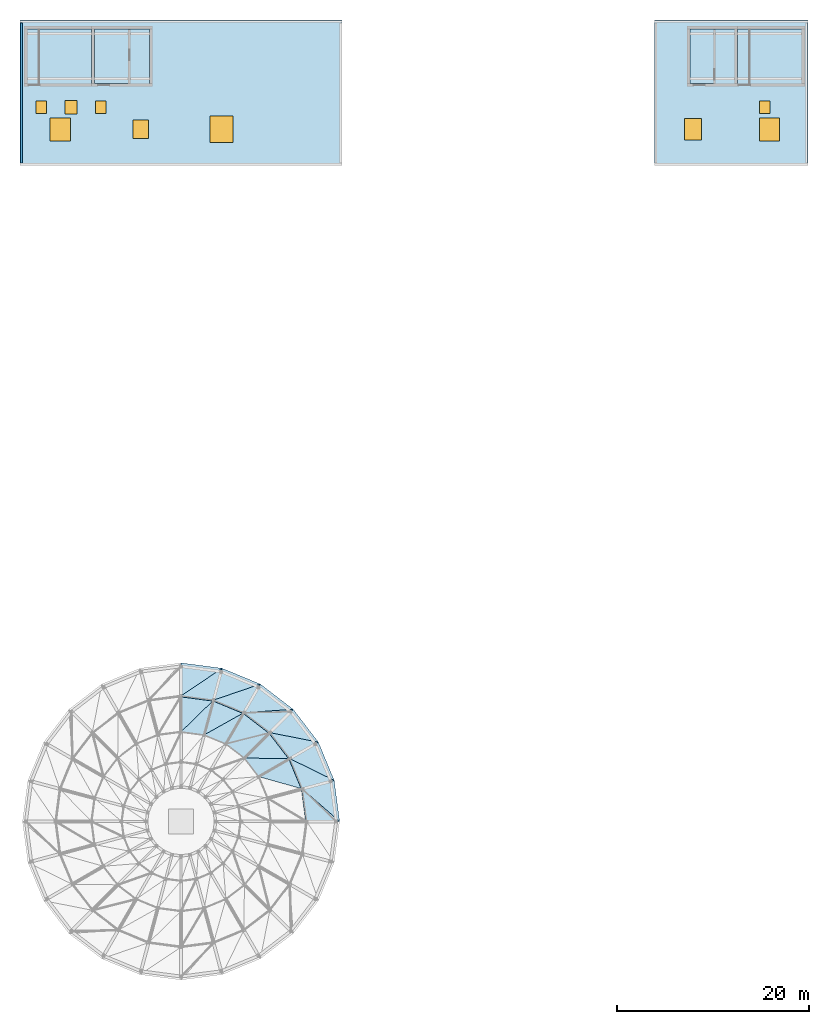
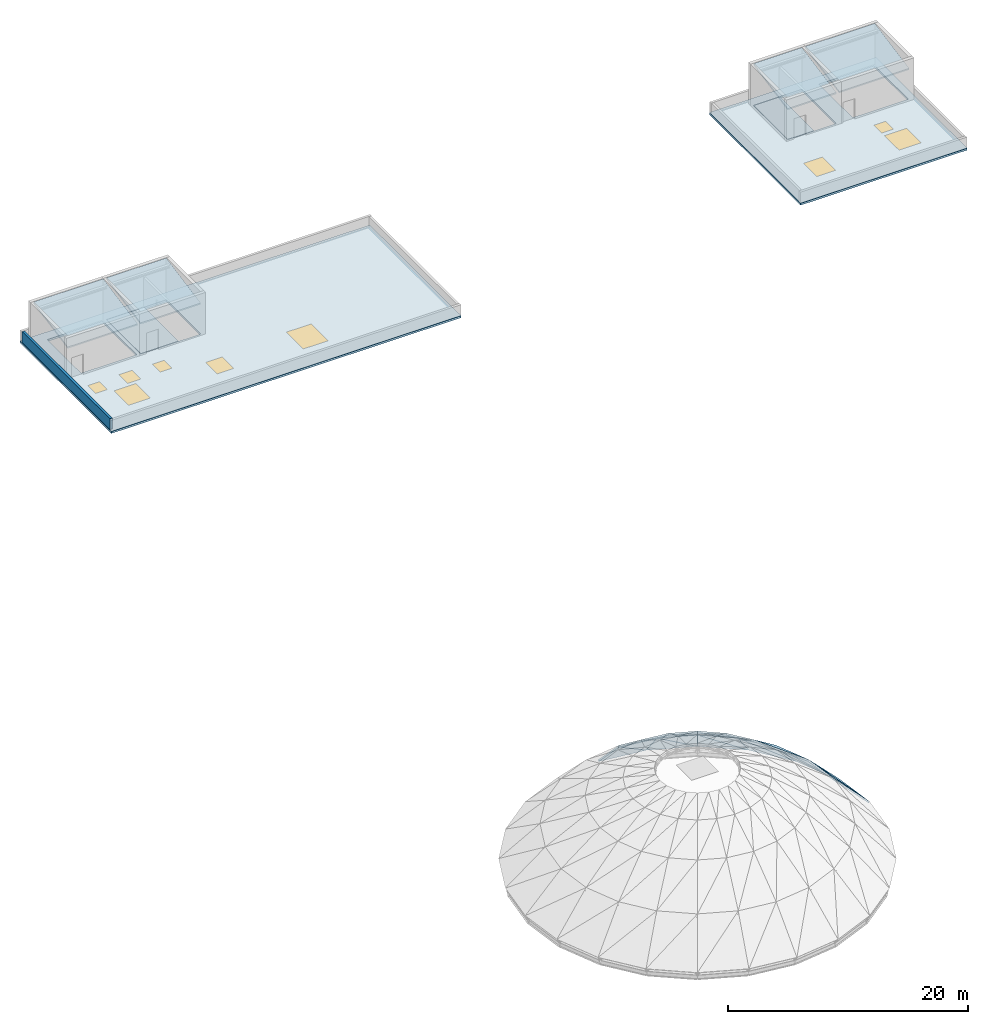
# One storey, part 13 of 19: 29 slabs, 5 windows, 4 doors, 1 wall, 9 openings.
"""IFC4 building model written with IfcOpenShell, lengths in metres."""

from ifc_helpers import new_model, si_unit, direction, frame, frame_2d, origin, origin_2d, place, context, subcontext, project, spatial, polyline, rectangle, outline, extrude, material, layer, layer_set, type_object, element, fill, save


model = new_model("IFC4")

# Units and contexts
model_context = context("Model", 3, precision=1e-05, world=origin(), true_north=direction((0.0, 1.0)))
body_context = subcontext(model_context, "Body", "Model", "MODEL_VIEW")
ifc_project = project(units=[si_unit("LENGTHUNIT", "METRE"), si_unit("AREAUNIT", "SQUARE_METRE"), si_unit("VOLUMEUNIT", "CUBIC_METRE"), si_unit("PLANEANGLEUNIT", "RADIAN"), si_unit("MASSUNIT", "GRAM", prefix="KILO")], contexts=[model_context])

# Site, building, storey
site_placement = place(None, origin())
site = spatial("IfcSite", under=ifc_project, at=site_placement, CompositionType="ELEMENT")
building_placement = place(site_placement, origin())
building = spatial("IfcBuilding", under=site, at=building_placement, Name="Montecoro Central Library", CompositionType="ELEMENT")
storey_placement = place(building_placement, frame((0.0, 0.0, 25.5)))
storey = spatial("IfcBuildingStorey", under=building, at=storey_placement, Name="ROOF", CompositionType="ELEMENT", Elevation=25.5)

# Slabs
ifc_material_1 = material(Name="Concrete C32/40", Category="concrete")
ifc_layer_1 = layer(ifc_material_1, 0.14990234375)
ifc_layer_set_1 = layer_set([ifc_layer_1], Name="Concrete C32/40")
slab_type_1 = type_object("IfcSlabType", Name="SL-DOME-150", PredefinedType="ROOF", material=ifc_layer_set_1)
slab_1_placement = place(storey_placement, frame((108.139892578125, 35.39990234375, -7.77001953125), z_axis=(0.715997621277, 0.094323039929, 0.691701214734), x_axis=(-0.130608081992, 0.99143407694, 0.0)))
element("IfcSlab", 1, at=slab_1_placement, inside=storey, type_object=slab_type_1, Name="V1-DOME-GORE-S1-01A", PredefinedType="ROOF", context=body_context, shape_type="SweptSolid", body=[
    extrude(outline(polyline([(0.0, 0.0), (4.317993459118372, -5.551115123125783e-17), (3.8696064867599036, 4.929574206481071), (0.0, 0.0)])), origin(), (0.0, 0.0, -1.0), 0.14990234375),
])
slab_2_placement = place(storey_placement, frame((108.139892578125, 35.39990234375, -7.77001953125), z_axis=(0.715938847553, 0.094169926168, 0.691782907833), x_axis=(-0.620077003369, 0.541111363749, 0.568069539682)))
element("IfcSlab", 2, at=slab_2_placement, inside=storey, type_object=slab_type_1, Name="V1-DOME-GORE-S1-01B", PredefinedType="ROOF", context=body_context, shape_type="SweptSolid", body=[
    extrude(outline(polyline([(0.0, 0.0), (6.266941536314009, 6.661338147750939e-16), (4.155389405545427, 2.6907160678241917), (0.0, 0.0)])), origin(), (0.0, 0.0, -1.0), 0.14990234375),
])
slab_3_placement = place(storey_placement, frame((107.575927734375, 39.680908203125, -7.77001953125), z_axis=(0.667180259726, 0.276280166308, 0.691765690633), x_axis=(-0.382594844115, 0.92391622199, 0.0)))
element("IfcSlab", 3, at=slab_3_placement, inside=storey, type_object=slab_type_1, Name="V1-DOME-GORE-S1-02A", PredefinedType="ROOF", context=body_context, shape_type="SweptSolid", body=[
    extrude(outline(polyline([(0.0, 0.0), (4.317505826752867, 0.0), (3.8681485279156975, 4.929995811557658), (0.0, 0.0)])), origin(), (0.0, 0.0, -1.0), 0.14990234375),
])
slab_4_placement = place(storey_placement, frame((107.575927734375, 39.680908203125, -7.77001953125), z_axis=(0.667196923723, 0.276438883073, 0.691686206961), x_axis=(-0.73900154149, 0.362098287991, 0.568121071173)))
element("IfcSlab", 4, at=slab_4_placement, inside=storey, type_object=slab_type_1, Name="V1-DOME-GORE-S1-02B", PredefinedType="ROOF", context=body_context, shape_type="SweptSolid", body=[
    extrude(outline(polyline([(0.0, 0.0), (6.266373092626422, 4.440892098500626e-16), (4.155294720498635, 2.689847304212721), (0.0, 0.0)])), origin(), (0.0, 0.0, -1.0), 0.14990234375),
])
slab_5_placement = place(storey_placement, frame((105.924072265625, 43.669921875, -7.77001953125), z_axis=(0.572899595995, 0.439482943839, 0.691838705901), x_axis=(-0.608658234668, 0.793432513432, 0.0)))
element("IfcSlab", 5, at=slab_5_placement, inside=storey, type_object=slab_type_1, Name="V1-DOME-GORE-S1-03A", PredefinedType="ROOF", context=body_context, shape_type="SweptSolid", body=[
    extrude(outline(polyline([(0.0, 0.0), (4.317979579392242, -2.220446049250313e-16), (3.868449382155051, 4.9304734333000315), (0.0, 0.0)])), origin(), (0.0, 0.0, -1.0), 0.14990234375),
])
slab_6_placement = place(storey_placement, frame((105.924072265625, 43.669921875, -7.77001953125), z_axis=(0.572877813538, 0.439620443971, 0.691769380645), x_axis=(-0.807577468713, 0.158476852037, 0.56807017119)))
element("IfcSlab", 6, at=slab_6_placement, inside=storey, type_object=slab_type_1, Name="V1-DOME-GORE-S1-03B", PredefinedType="ROOF", context=body_context, shape_type="SweptSolid", body=[
    extrude(outline(polyline([(0.0, 0.0), (6.266934569530241, 0.0), (4.155563986066326, 2.690365893647709), (0.0, 0.0)])), origin(), (0.0, 0.0, -1.0), 0.14990234375),
])
slab_7_placement = place(storey_placement, frame((103.2958984375, 47.095947265625, -7.77001953125), z_axis=(0.439530184712, 0.572920348526, 0.691791508311), x_axis=(-0.793411565763, 0.608685540582, 0.0)))
element("IfcSlab", 7, at=slab_7_placement, inside=storey, type_object=slab_type_1, Name="V1-DOME-GORE-S1-04A", PredefinedType="ROOF", context=body_context, shape_type="SweptSolid", body=[
    extrude(outline(polyline([(0.0, 0.0), (4.317785872839549, 0.0), (3.869347622397871, 4.930164673576801), (0.0, 0.0)])), origin(), (0.0, 0.0, -1.0), 0.14990234375),
])
slab_8_placement = place(storey_placement, frame((103.2958984375, 47.095947265625, -7.77001953125), z_axis=(0.439575314047, 0.57281900387, 0.69184675477), x_axis=(-0.821093657824, -0.055978346441, 0.568041926103)))
element("IfcSlab", 8, at=slab_8_placement, inside=storey, type_object=slab_type_1, Name="V1-DOME-GORE-S1-04B", PredefinedType="ROOF", context=body_context, shape_type="SweptSolid", body=[
    extrude(outline(polyline([(0.0, 0.0), (6.2672461840541, -4.440892098500626e-16), (4.156057101791433, 2.690508323970491), (0.0, 0.0)])), origin(), (0.0, 0.0, -1.0), 0.14990234375),
])
slab_9_placement = place(storey_placement, frame((99.8701171875, 49.72412109375, -7.77001953125), z_axis=(0.276302291403, 0.66723368892, 0.691705318858), x_axis=(-0.92391622199, 0.382594844115, 0.0)))
element("IfcSlab", 9, at=slab_9_placement, inside=storey, type_object=slab_type_1, Name="V1-DOME-GORE-S1-05A", PredefinedType="ROOF", context=body_context, shape_type="SweptSolid", body=[
    extrude(outline(polyline([(0.0, 0.0), (4.317505826752867, 2.220446049250313e-16), (3.868929289035783, 4.929601038771706), (0.0, 0.0)])), origin(), (0.0, 0.0, -1.0), 0.14990234375),
])
slab_10_placement = place(storey_placement, frame((99.8701171875, 49.72412109375, -7.77001953125), z_axis=(0.27640273407, 0.667109676577, 0.69178479892), x_axis=(-0.778603004187, -0.266521048368, 0.5681055295)))
element("IfcSlab", 10, at=slab_10_placement, inside=storey, type_object=slab_type_1, Name="V1-DOME-GORE-S1-05B", PredefinedType="ROOF", context=body_context, shape_type="SweptSolid", body=[
    extrude(outline(polyline([(0.0, 0.0), (6.266544521905036, -2.220446049250313e-16), (4.155820661829568, 2.6901254988855587), (0.0, 0.0)])), origin(), (0.0, 0.0, -1.0), 0.14990234375),
])
slab_11_placement = place(storey_placement, frame((95.881103515625, 51.3759765625, -7.77001953125), z_axis=(0.094314005175, 0.715929039282, 0.691773430496), x_axis=(-0.99143407694, 0.130608081992, 0.0)))
element("IfcSlab", 11, at=slab_11_placement, inside=storey, type_object=slab_type_1, Name="V1-DOME-GORE-S1-06A", PredefinedType="ROOF", context=body_context, shape_type="SweptSolid", body=[
    extrude(outline(polyline([(0.0, 0.0), (4.317993459118372, 5.551115123125783e-17), (3.86870930988276, 4.930046432094945), (0.0, 0.0)])), origin(), (0.0, 0.0, -1.0), 0.14990234375),
])
slab_12_placement = place(storey_placement, frame((95.881103515625, 51.3759765625, -7.77001953125), z_axis=(0.094187504439, 0.716020935501, 0.691695550031), x_axis=(-0.683129157337, -0.458925661444, 0.568086077689)))
element("IfcSlab", 12, at=slab_12_placement, inside=storey, type_object=slab_type_1, Name="V1-DOME-GORE-S1-06B", PredefinedType="ROOF", context=body_context, shape_type="SweptSolid", body=[
    extrude(outline(polyline([(0.0, 0.0), (6.266759094379297, -4.440892098500626e-16), (4.155058976510702, 2.6902922170959727), (0.0, 0.0)])), origin(), (0.0, 0.0, -1.0), 0.14990234375),
])
slab_13_placement = place(storey_placement, frame((104.25390625, 38.791015625, -4.2099609375), z_axis=(0.561981871729, 0.232845259629, 0.793699855686), x_axis=(-0.382774280043, 0.923841896938, 0.0)))
element("IfcSlab", 13, at=slab_13_placement, inside=storey, type_object=slab_type_1, Name="V1-DOME-GORE-S2-02A", PredefinedType="ROOF", context=body_context, shape_type="SweptSolid", body=[
    extrude(outline(polyline([(0.0, 0.0), (3.4193464892061107, 1.1102230246251565e-16), (2.9304117365736966, 4.684873677100132), (0.0, 0.0)])), origin(), (0.0, 0.0, -1.0), 0.14990234375),
])
slab_14_placement = place(storey_placement, frame((102.945068359375, 41.949951171875, -4.2099609375), z_axis=(0.48257483054, 0.370322879047, 0.793714368135), x_axis=(-0.608792664465, 0.793329371506, 0.0)))
element("IfcSlab", 14, at=slab_14_placement, inside=storey, type_object=slab_type_1, Name="V1-DOME-GORE-S2-03A", PredefinedType="ROOF", context=body_context, shape_type="SweptSolid", body=[
    extrude(outline(polyline([(0.0, 0.0), (3.4199348506104013, 2.220446049250313e-16), (2.9305251219527, 4.685019514805613), (0.0, 0.0)])), origin(), (0.0, 0.0, -1.0), 0.14990234375),
])
slab_15_placement = place(storey_placement, frame((102.945068359375, 41.949951171875, -4.2099609375), z_axis=(0.482558218012, 0.370407550194, 0.793684958273), x_axis=(-0.856691255003, 0.011044959711, 0.515711258813)))
element("IfcSlab", 15, at=slab_15_placement, inside=storey, type_object=slab_type_1, Name="V1-DOME-GORE-S2-03B", PredefinedType="ROOF", context=body_context, shape_type="SweptSolid", body=[
    extrude(outline(polyline([(0.0, 0.0), (5.52606418208342, 1.1102230246251565e-16), (4.231565598170327, 2.0690459519060553), (0.0, 0.0)])), origin(), (0.0, 0.0, -1.0), 0.14990234375),
])
slab_16_placement = place(storey_placement, frame((100.863037109375, 44.6630859375, -4.2099609375), z_axis=(0.370342333191, 0.482600181607, 0.793689877067), x_axis=(-0.793329371506, 0.608792664465, 0.0)))
element("IfcSlab", 16, at=slab_16_placement, inside=storey, type_object=slab_type_1, Name="V1-DOME-GORE-S2-04A", PredefinedType="ROOF", context=body_context, shape_type="SweptSolid", body=[
    extrude(outline(polyline([(0.0, 0.0), (3.4199348506104013, 2.220446049250313e-16), (2.930040310844845, 4.684773409955421), (0.0, 0.0)])), origin(), (0.0, 0.0, -1.0), 0.14990234375),
])
slab_17_placement = place(storey_placement, frame((100.863037109375, 44.6630859375, -4.2099609375), z_axis=(0.370380285552, 0.482522698279, 0.793719276394), x_axis=(-0.830341693306, -0.211020695324, 0.515754727077)))
element("IfcSlab", 17, at=slab_17_placement, inside=storey, type_object=slab_type_1, Name="V1-DOME-GORE-S2-04B", PredefinedType="ROOF", context=body_context, shape_type="SweptSolid", body=[
    extrude(outline(polyline([(0.0, 0.0), (5.525598440513126, 1.1102230246251565e-16), (4.231622206265569, 2.06937266823894), (0.0, 0.0)])), origin(), (0.0, 0.0, -1.0), 0.14990234375),
])
slab_18_placement = place(storey_placement, frame((98.14990234375, 46.7451171875, -4.2099609375), z_axis=(0.232829773956, 0.561944496403, 0.793730860759), x_axis=(-0.923841896938, 0.382774280043, 0.0)))
element("IfcSlab", 18, at=slab_18_placement, inside=storey, type_object=slab_type_1, Name="V1-DOME-GORE-S2-05A", PredefinedType="ROOF", context=body_context, shape_type="SweptSolid", body=[
    extrude(outline(polyline([(0.0, 0.0), (3.4193464892061107, -1.1102230246251565e-16), (2.9295390937656283, 4.685185271359492), (0.0, 0.0)])), origin(), (0.0, 0.0, -1.0), 0.14990234375),
])
slab_19_placement = place(storey_placement, frame((98.14990234375, 46.7451171875, -4.2099609375), z_axis=(0.232757963705, 0.562026811185, 0.793693639789), x_axis=(-0.747397858962, -0.418809665707, 0.515746938264)))
element("IfcSlab", 19, at=slab_19_placement, inside=storey, type_object=slab_type_1, Name="V1-DOME-GORE-S2-05B", PredefinedType="ROOF", context=body_context, shape_type="SweptSolid", body=[
    extrude(outline(polyline([(0.0, 0.0), (5.52568188813517, -3.3306690738754696e-16), (4.231487636658871, 2.0692053893996514), (0.0, 0.0)])), origin(), (0.0, 0.0, -1.0), 0.14990234375),
])
slab_20_placement = place(storey_placement, frame((94.990966796875, 48.053955078125, -4.2099609375), z_axis=(0.079340933169, 0.603156114274, 0.793667259081), x_axis=(-0.991458911344, 0.130419427678, 0.0)))
element("IfcSlab", 20, at=slab_20_placement, inside=storey, type_object=slab_type_1, Name="V1-DOME-GORE-S2-06A", PredefinedType="ROOF", context=body_context, shape_type="SweptSolid", body=[
    extrude(outline(polyline([(0.0, 0.0), (3.420080350104863, 0.0), (2.9310074963106634, 4.684546168435292), (0.0, 0.0)])), origin(), (0.0, 0.0, -1.0), 0.14990234375),
])
slab_21_placement = place(storey_placement, frame((94.990966796875, 48.053955078125, -4.2099609375), z_axis=(0.079516802728, 0.60303791021, 0.793739476739), x_axis=(-0.613629933736, -0.597901497102, 0.515724833789)))
element("IfcSlab", 21, at=slab_21_placement, inside=storey, type_object=slab_type_1, Name="V1-DOME-GORE-S2-06B", PredefinedType="ROOF", context=body_context, shape_type="SweptSolid", body=[
    extrude(outline(polyline([(0.0, 0.0), (5.525918724305586, 3.3306690738754696e-16), (4.231767687568002, 2.069544527196134), (0.0, 0.0)])), origin(), (0.0, 0.0, -1.0), 0.14990234375),
])
ifc_layer_2 = layer(ifc_material_1, 0.179931640625)
ifc_layer_set_2 = layer_set([ifc_layer_2], Name="Concrete C32/40")
slab_type_2 = type_object("IfcSlabType", Name="SL-FLR-180", PredefinedType="FLOOR", material=ifc_layer_set_2)
slab_22_placement = place(storey_placement, frame((0.0, 0.0, -0.179931640625)))
element("IfcSlab", 22, at=slab_22_placement, inside=storey, type_object=slab_type_2, Name="C2 Roof Overrun Vestibule Floor Slab", PredefinedType="FLOOR", context=body_context, shape_type="SweptSolid", body=[
    extrude(outline(polyline([(82.56005859375, 112.360107421875), (86.18994140625, 112.360107421875), (86.18994140625, 118.0400390625), (82.56005859375, 118.0400390625), (82.56005859375, 112.360107421875)])), origin(), (0.0, 0.0, 1.0), 0.179931640625),
])
slab_23_placement = place(storey_placement, frame((0.0, 0.0, -0.179931640625)))
element("IfcSlab", 23, at=slab_23_placement, inside=storey, type_object=slab_type_2, Name="C6 Roof Overrun Vestibule Floor Slab", PredefinedType="FLOOR", context=body_context, shape_type="SweptSolid", body=[
    extrude(outline(polyline([(144.7099609375, 112.360107421875), (147.239990234375, 112.360107421875), (147.239990234375, 118.0400390625), (144.7099609375, 118.0400390625), (144.7099609375, 112.360107421875)])), origin(), (0.0, 0.0, 1.0), 0.179931640625),
])

# Slab, openings, doors, windows
ifc_layer_3 = layer(ifc_material_1, 0.199951171875)
ifc_layer_set_3 = layer_set([ifc_layer_3], Name="Concrete C32/40")
slab_type_3 = type_object("IfcSlabType", Name="SL-ROOF-200", PredefinedType="ROOF", material=ifc_layer_set_3)
slab_24_placement = place(storey_placement, frame((0.0, 0.0, -0.199951171875)))
slab_24 = element("IfcSlab", 24, at=slab_24_placement, inside=storey, type_object=slab_type_3, Name="V2-ROOF-SL1", PredefinedType="ROOF", context=body_context, shape_type="SweptSolid", body=[
    extrude(outline(polyline([(74.800048828125, 103.800048828125), (108.39990234375, 103.800048828125), (108.39990234375, 119.0), (74.800048828125, 119.0), (74.800048828125, 103.800048828125)]), holes=[polyline([(76.860107421875, 118.0), (82.199951171875, 118.0), (82.199951171875, 112.39990234375), (76.860107421875, 112.39990234375), (76.860107421875, 118.0)]), polyline([(82.5400390625, 118.06005859375), (88.31005859375, 118.06005859375), (88.31005859375, 112.340087890625), (82.5400390625, 112.340087890625), (82.5400390625, 118.06005859375)])]), origin(), (0.0, 0.0, 1.0), 0.199951171875),
])
opening_1_placement = place(slab_24_placement, frame((77.0, 109.89990234375, 0.0)))
opening_1 = element("IfcOpeningElement", 25, at=opening_1_placement, cuts=slab_24, Name="Opening EH-01", PredefinedType="OPENING", context=body_context, shape_type="SweptSolid", body=[
    extrude(rectangle(XDim=1.10009765625, YDim=1.300048828125, at=origin_2d()), frame((0.0, 0.0, -0.010009765625)), (0.0, 0.0, 1.0), 0.219970703125),
])
opening_2_placement = place(slab_24_placement, frame((80.10009765625, 109.89990234375, 0.0)))
opening_2 = element("IfcOpeningElement", 26, at=opening_2_placement, cuts=slab_24, Name="Opening EH-02", PredefinedType="OPENING", context=body_context, shape_type="SweptSolid", body=[
    extrude(rectangle(XDim=1.25, YDim=1.449951171875, at=origin_2d()), frame((0.0, 0.0, -0.010009765625)), (0.0, 0.0, 1.0), 0.219970703125),
])
opening_3_placement = place(slab_24_placement, frame((83.199951171875, 109.89990234375, 0.0)))
opening_3 = element("IfcOpeningElement", 27, at=opening_3_placement, cuts=slab_24, Name="Opening EH-01", PredefinedType="OPENING", context=body_context, shape_type="SweptSolid", body=[
    extrude(rectangle(XDim=1.10009765625, YDim=1.300048828125, at=origin_2d()), frame((0.0, 0.0, -0.010009765625)), (0.0, 0.0, 1.0), 0.219970703125),
])
opening_4_placement = place(slab_24_placement, frame((79.0, 107.60009765625, 0.0)))
opening_4 = element("IfcOpeningElement", 28, at=opening_4_placement, cuts=slab_24, Name="Opening SK-04", PredefinedType="OPENING", context=body_context, shape_type="SweptSolid", body=[
    extrude(rectangle(XDim=2.10009765625, YDim=2.39990234375, at=origin_2d()), frame((0.0, 0.0, -0.010009765625)), (0.0, 0.0, 1.0), 0.219970703125),
])
opening_5_placement = place(slab_24_placement, frame((87.39990234375, 107.60009765625, 0.0)))
opening_5 = element("IfcOpeningElement", 29, at=opening_5_placement, cuts=slab_24, Name="Opening SK-05", PredefinedType="OPENING", context=body_context, shape_type="SweptSolid", body=[
    extrude(rectangle(XDim=1.60009765625, YDim=1.89990234375, at=origin_2d()), frame((0.0, 0.0, -0.010009765625)), (0.0, 0.0, 1.0), 0.219970703125),
])
opening_6_placement = place(slab_24_placement, frame((95.800048828125, 107.60009765625, 0.0)))
opening_6 = element("IfcOpeningElement", 30, at=opening_6_placement, cuts=slab_24, Name="Opening SK-01", PredefinedType="OPENING", context=body_context, shape_type="SweptSolid", body=[
    extrude(rectangle(XDim=2.39990234375, YDim=2.800048828125, at=origin_2d()), frame((0.0, 0.0, -0.010009765625)), (0.0, 0.0, 1.0), 0.219970703125),
])
ifc_material_2 = material(Name="Thermally broken architectural bronze and safety glass", Category="glass")
door_type_1 = type_object("IfcDoorType", Name="ED-HATCH-110", OperationType="NOTDEFINED", PredefinedType="TRAPDOOR", material=ifc_material_2)
door_1_placement = place(opening_1_placement, frame((0.0, 0.0, 0.14990234375)))
door_1 = element("IfcDoor", 31, at=door_1_placement, inside=storey, type_object=door_type_1, Name="V2-ROOF-HT-1", OperationType="SINGLE_SWING_LEFT", OverallHeight=1.300048828125, OverallWidth=1.10009765625, PredefinedType="TRAPDOOR", context=body_context, shape_type="SweptSolid", body=[
    extrude(rectangle(XDim=1.10009765625, YDim=1.300048828125, at=origin_2d()), origin(), (0.0, 0.0, 1.0), 0.050048828125),
])
fill(opening_1, door_1)
door_2_placement = place(opening_3_placement, frame((0.0, 0.0, 0.14990234375)))
door_2 = element("IfcDoor", 32, at=door_2_placement, inside=storey, type_object=door_type_1, Name="V2-ROOF-HT-3", OperationType="SINGLE_SWING_LEFT", OverallHeight=1.300048828125, OverallWidth=1.10009765625, PredefinedType="TRAPDOOR", context=body_context, shape_type="SweptSolid", body=[
    extrude(rectangle(XDim=1.10009765625, YDim=1.300048828125, at=origin_2d()), origin(), (0.0, 0.0, 1.0), 0.050048828125),
])
fill(opening_3, door_2)
door_type_2 = type_object("IfcDoorType", Name="ED-HATCH-125", OperationType="NOTDEFINED", PredefinedType="TRAPDOOR", material=ifc_material_2)
door_3_placement = place(opening_2_placement, frame((0.0, 0.0, 0.14990234375)))
door_3 = element("IfcDoor", 33, at=door_3_placement, inside=storey, type_object=door_type_2, Name="V2-ROOF-HT-2", OperationType="SINGLE_SWING_LEFT", OverallHeight=1.449951171875, OverallWidth=1.25, PredefinedType="TRAPDOOR", context=body_context, shape_type="SweptSolid", body=[
    extrude(rectangle(XDim=1.25, YDim=1.449951171875, at=origin_2d()), origin(), (0.0, 0.0, 1.0), 0.050048828125),
])
fill(opening_2, door_3)
ifc_material_3 = material(Name="Solar-control laminated skylight glazing", Category="glass")
window_type_1 = type_object("IfcWindowType", Name="SK-ATR-240", PartitioningType="SINGLE_PANEL", PredefinedType="SKYLIGHT", material=ifc_material_3)
window_1_placement = place(opening_6_placement, frame((0.0, 0.0, 0.14990234375)))
window_1 = element("IfcWindow", 34, at=window_1_placement, inside=storey, type_object=window_type_1, Name="V2-ROOF-SK-3", OverallHeight=2.800048828125, OverallWidth=2.39990234375, PartitioningType="SINGLE_PANEL", PredefinedType="SKYLIGHT", context=body_context, shape_type="SweptSolid", body=[
    extrude(rectangle(XDim=2.39990234375, YDim=2.800048828125, at=origin_2d()), origin(), (0.0, 0.0, 1.0), 0.050048828125),
])
fill(opening_6, window_1)
window_type_2 = type_object("IfcWindowType", Name="SK-GAL-160", PartitioningType="SINGLE_PANEL", PredefinedType="SKYLIGHT", material=ifc_material_3)
window_2_placement = place(opening_5_placement, frame((0.0, 0.0, 0.14990234375)))
window_2 = element("IfcWindow", 35, at=window_2_placement, inside=storey, type_object=window_type_2, Name="V2-ROOF-SK-2", OverallHeight=1.89990234375, OverallWidth=1.60009765625, PartitioningType="SINGLE_PANEL", PredefinedType="SKYLIGHT", context=body_context, shape_type="SweptSolid", body=[
    extrude(rectangle(XDim=1.60009765625, YDim=1.89990234375, at=origin_2d()), origin(), (0.0, 0.0, 1.0), 0.050048828125),
])
fill(opening_5, window_2)
window_type_3 = type_object("IfcWindowType", Name="SK-GAL-210", PartitioningType="SINGLE_PANEL", PredefinedType="SKYLIGHT", material=ifc_material_3)
window_3_placement = place(opening_4_placement, frame((0.0, 0.0, 0.14990234375)))
window_3 = element("IfcWindow", 36, at=window_3_placement, inside=storey, type_object=window_type_3, Name="V2-ROOF-SK-1", OverallHeight=2.39990234375, OverallWidth=2.10009765625, PartitioningType="SINGLE_PANEL", PredefinedType="SKYLIGHT", context=body_context, shape_type="SweptSolid", body=[
    extrude(rectangle(XDim=2.10009765625, YDim=2.39990234375, at=origin_2d()), origin(), (0.0, 0.0, 1.0), 0.050048828125),
])
fill(opening_4, window_3)

# Slab, openings, door, windows
slab_25_placement = place(storey_placement, frame((0.0, 0.0, -0.199951171875)))
slab_25 = element("IfcSlab", 37, at=slab_25_placement, inside=storey, type_object=slab_type_3, Name="V5-ROOF-SL1", PredefinedType="ROOF", context=body_context, shape_type="SweptSolid", body=[
    extrude(outline(polyline([(141.0, 103.800048828125), (157.0, 103.800048828125), (157.0, 119.0), (141.0, 119.0), (141.0, 103.800048828125)]), holes=[polyline([(150.9599609375, 118.0), (156.300048828125, 118.0), (156.300048828125, 112.39990234375), (150.9599609375, 112.39990234375), (150.9599609375, 118.0)]), polyline([(144.68994140625, 118.06005859375), (149.360107421875, 118.06005859375), (149.360107421875, 112.340087890625), (144.68994140625, 112.340087890625), (144.68994140625, 118.06005859375)])]), origin(), (0.0, 0.0, 1.0), 0.199951171875),
])
opening_7_placement = place(slab_25_placement, frame((152.5, 109.89990234375, 0.0)))
opening_7 = element("IfcOpeningElement", 38, at=opening_7_placement, cuts=slab_25, Name="Opening EH-01", PredefinedType="OPENING", context=body_context, shape_type="SweptSolid", body=[
    extrude(rectangle(XDim=1.10009765625, YDim=1.300048828125, at=origin_2d()), frame((0.0, 0.0, -0.010009765625)), (0.0, 0.0, 1.0), 0.219970703125),
])
opening_8_placement = place(slab_25_placement, frame((145.0, 107.60009765625, 0.0)))
opening_8 = element("IfcOpeningElement", 39, at=opening_8_placement, cuts=slab_25, Name="Opening SK-03", PredefinedType="OPENING", context=body_context, shape_type="SweptSolid", body=[
    extrude(rectangle(XDim=1.800048828125, YDim=2.199951171875, at=origin_2d()), frame((0.0, 0.0, -0.010009765625)), (0.0, 0.0, 1.0), 0.219970703125),
])
opening_9_placement = place(slab_25_placement, frame((153.0, 107.60009765625, 0.0)))
opening_9 = element("IfcOpeningElement", 40, at=opening_9_placement, cuts=slab_25, Name="Opening SK-04", PredefinedType="OPENING", context=body_context, shape_type="SweptSolid", body=[
    extrude(rectangle(XDim=2.10009765625, YDim=2.39990234375, at=origin_2d()), frame((0.0, 0.0, -0.010009765625)), (0.0, 0.0, 1.0), 0.219970703125),
])
door_4_placement = place(opening_7_placement, frame((0.0, 0.0, 0.14990234375)))
door_4 = element("IfcDoor", 41, at=door_4_placement, inside=storey, type_object=door_type_1, Name="V5-ROOF-HT-1", OperationType="SINGLE_SWING_LEFT", OverallHeight=1.300048828125, OverallWidth=1.10009765625, PredefinedType="TRAPDOOR", context=body_context, shape_type="SweptSolid", body=[
    extrude(rectangle(XDim=1.10009765625, YDim=1.300048828125, at=origin_2d()), origin(), (0.0, 0.0, 1.0), 0.050048828125),
])
fill(opening_7, door_4)
window_type_4 = type_object("IfcWindowType", Name="SK-GAL-180", PartitioningType="SINGLE_PANEL", PredefinedType="SKYLIGHT", material=ifc_material_3)
window_4_placement = place(opening_8_placement, frame((0.0, 0.0, 0.14990234375)))
window_4 = element("IfcWindow", 42, at=window_4_placement, inside=storey, type_object=window_type_4, Name="V5-ROOF-SK-1", OverallHeight=2.199951171875, OverallWidth=1.800048828125, PartitioningType="SINGLE_PANEL", PredefinedType="SKYLIGHT", context=body_context, shape_type="SweptSolid", body=[
    extrude(rectangle(XDim=1.800048828125, YDim=2.199951171875, at=origin_2d()), origin(), (0.0, 0.0, 1.0), 0.050048828125),
])
fill(opening_8, window_4)
window_5_placement = place(opening_9_placement, frame((0.0, 0.0, 0.14990234375)))
window_5 = element("IfcWindow", 43, at=window_5_placement, inside=storey, type_object=window_type_3, Name="V5-ROOF-SK-2", OverallHeight=2.39990234375, OverallWidth=2.10009765625, PartitioningType="SINGLE_PANEL", PredefinedType="SKYLIGHT", context=body_context, shape_type="SweptSolid", body=[
    extrude(rectangle(XDim=2.10009765625, YDim=2.39990234375, at=origin_2d()), origin(), (0.0, 0.0, 1.0), 0.050048828125),
])
fill(opening_9, window_5)

# Slabs
ifc_layer_4 = layer(ifc_material_1, 0.1650390625)
ifc_layer_set_4 = layer_set([ifc_layer_4], Name="Concrete C32/40")
slab_type_4 = type_object("IfcSlabType", Name="SL-SAW-165", PredefinedType="ROOF", material=ifc_layer_set_4)
slab_26_placement = place(storey_placement, frame((82.5400390625, 112.340087890625, 3.139892578125), z_axis=(0.0, -0.190520861741, 0.98168314707), x_axis=(1.0, 0.0, 0.0)))
element("IfcSlab", 44, at=slab_26_placement, inside=storey, type_object=slab_type_4, Name="C2-ROOF-LHHS", PredefinedType="ROOF", context=body_context, shape_type="SweptSolid", body=[
    extrude(outline(polyline([(0.0, 0.0), (5.77001953125, 0.0), (5.77001953125, 5.826697463633259), (0.0, 5.826697463633259), (0.0, 0.0)])), origin(), (0.0, 0.0, -1.0), 0.1650390625),
])
slab_27_placement = place(storey_placement, frame((75.5400390625, 112.340087890625, 3.139892578125), z_axis=(0.0, -0.190520861741, 0.98168314707), x_axis=(1.0, 0.0, 0.0)))
element("IfcSlab", 45, at=slab_27_placement, inside=storey, type_object=slab_type_4, Name="C2-ROOF-HHS", PredefinedType="ROOF", context=body_context, shape_type="SweptSolid", body=[
    extrude(outline(polyline([(0.0, 0.0), (6.719970703125, 0.0), (6.719970703125, 5.826697463633259), (0.0, 5.826697463633259), (0.0, 0.0)])), origin(), (0.0, 0.0, -1.0), 0.1650390625),
])
slab_28_placement = place(storey_placement, frame((144.68994140625, 112.340087890625, 3.139892578125), z_axis=(0.0, -0.190520861741, 0.98168314707), x_axis=(1.0, 0.0, 0.0)))
element("IfcSlab", 46, at=slab_28_placement, inside=storey, type_object=slab_type_4, Name="C6-ROOF-LHHS", PredefinedType="ROOF", context=body_context, shape_type="SweptSolid", body=[
    extrude(outline(polyline([(0.0, 0.0), (4.670166015625, 0.0), (4.670166015625, 5.82669746363326), (0.0, 5.82669746363326), (0.0, 0.0)])), origin(), (0.0, 0.0, -1.0), 0.1650390625),
])
slab_29_placement = place(storey_placement, frame((149.639892578125, 112.340087890625, 3.139892578125), z_axis=(0.0, -0.190520861741, 0.98168314707), x_axis=(1.0, 0.0, 0.0)))
element("IfcSlab", 47, at=slab_29_placement, inside=storey, type_object=slab_type_4, Name="C6-ROOF-HHS", PredefinedType="ROOF", context=body_context, shape_type="SweptSolid", body=[
    extrude(outline(polyline([(0.0, 0.0), (6.72021484375, 0.0), (6.72021484375, 5.826697463633261), (0.0, 5.826697463633261), (0.0, 0.0)])), origin(), (0.0, 0.0, -1.0), 0.1650390625),
])

# Wall
ifc_material_4 = material(Name="White Roman travertine stone clad concrete C32/40", Category="masonry")
ifc_layer_5 = layer(ifc_material_4, 0.235107421875)
ifc_layer_set_5 = layer_set([ifc_layer_5], Name="White Roman travertine stone clad concrete C32/40")
wall_type = type_object("IfcWallType", Name="EW-PAR-235", PredefinedType="PARAPET", material=ifc_layer_set_5)
wall_placement = place(storey_placement, frame((74.949951171875, 118.699951171875, 0.0), z_axis=(0.0, 0.0, 1.0), x_axis=(0.0, -1.0, 0.0)))
element("IfcWall", 48, at=wall_placement, inside=storey, type_object=wall_type, Name="V2-ROOF-PAR-W", PredefinedType="PARAPET", context=body_context, shape_type="SweptSolid", body=[
    extrude(rectangle(XDim=14.599853515625, YDim=0.235107421875, at=frame_2d((7.2998046875, 0.0))), origin(), (0.0, 0.0, 1.0), 1.10009765625),
])

save(model, "model.ifc")
